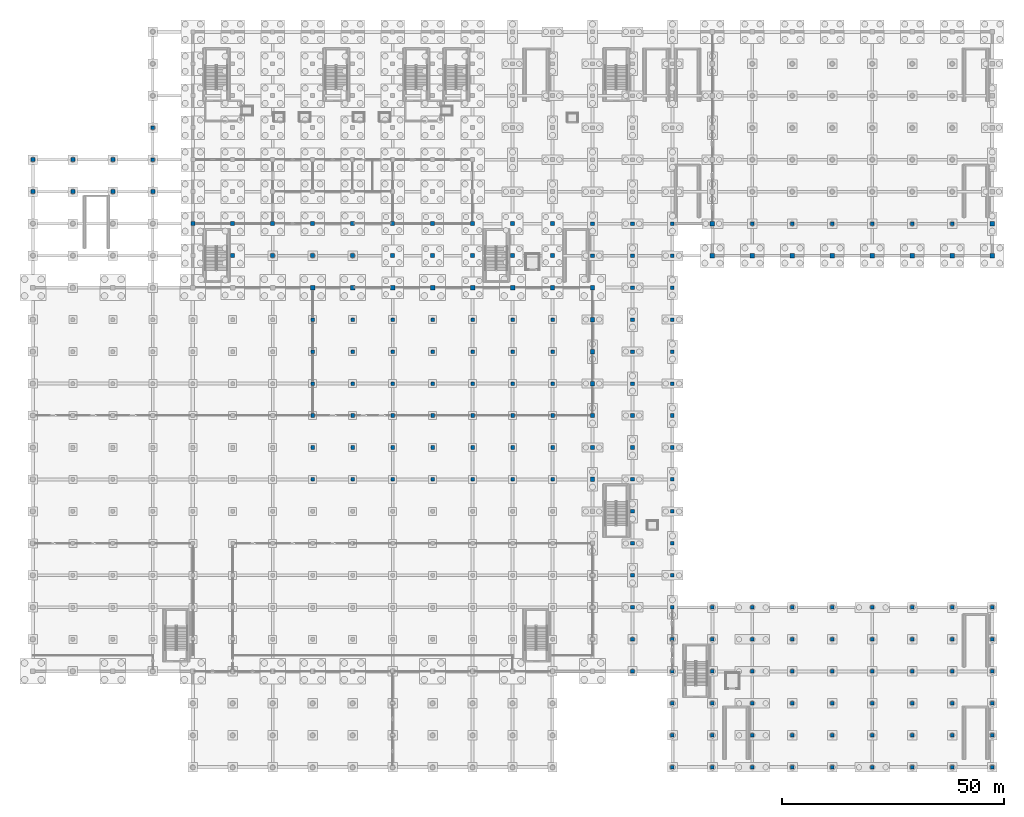
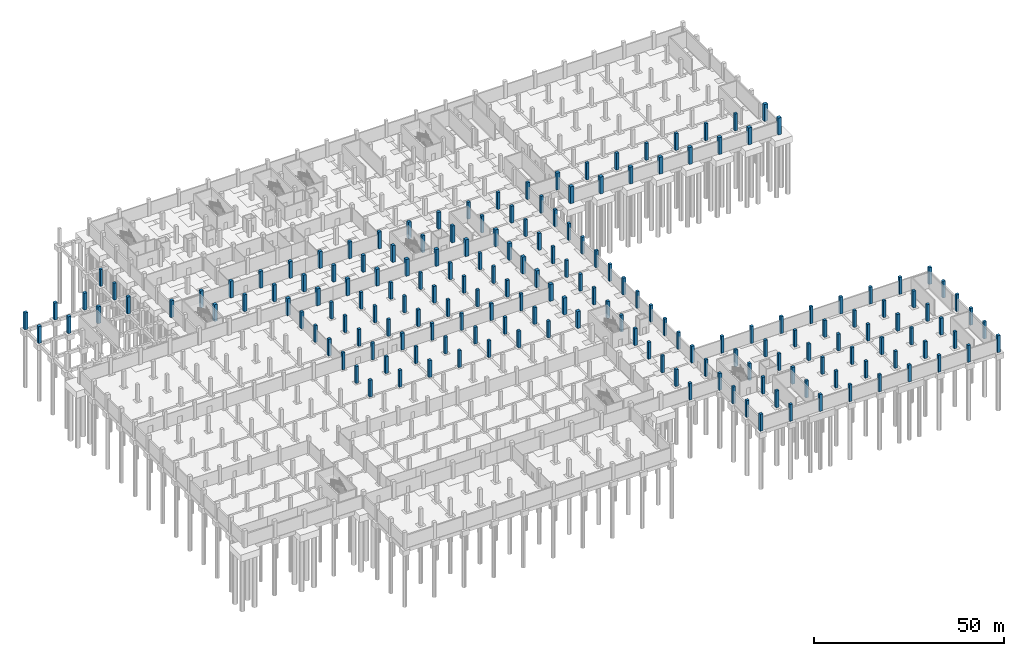
# One storey, part 13 of 39: 183 columns.
"""IFC4 building model written with IfcOpenShell, lengths in metres."""

from ifc_helpers import new_model, si_unit, direction, frame, origin, origin_2d, place, context, subcontext, project, spatial, rectangle, extrude, material, material_profile, profile_set, type_object, element, save


model = new_model("IFC4")

# Units and contexts
model_context = context("Model", 3, precision=1e-05, world=origin(), true_north=direction((0.0, 1.0)))
body_context = subcontext(model_context, "Body", "Model", "MODEL_VIEW")
ifc_project = project(units=[si_unit("LENGTHUNIT", "METRE"), si_unit("AREAUNIT", "SQUARE_METRE"), si_unit("VOLUMEUNIT", "CUBIC_METRE"), si_unit("PLANEANGLEUNIT", "RADIAN"), si_unit("MASSUNIT", "GRAM", prefix="KILO")], contexts=[model_context])

# Site, building, storey
site_placement = place(None, origin())
site = spatial("IfcSite", under=ifc_project, at=site_placement, CompositionType="ELEMENT")
building_placement = place(site_placement, origin())
building = spatial("IfcBuilding", under=site, at=building_placement, Name="Celestram Park Convention Centre", CompositionType="ELEMENT")
storey_placement = place(building_placement, frame((0.0, 0.0, -5.39990234375)))
storey = spatial("IfcBuildingStorey", under=building, at=storey_placement, Name="B1", CompositionType="ELEMENT", Elevation=-5.39990234375)

# Columns
ifc_material = material(Name="Concrete C40/50", Category="concrete")
ifc_material_profile_1 = material_profile(ifc_material, rectangle(XDim=1.0, YDim=1.0, at=origin_2d()), Name="RC1000X1000")
ifc_profile_set_1 = profile_set([ifc_material_profile_1], Name="Concrete C40/50")
column_type_1 = type_object("IfcColumnType", Name="STR-COL-RC1000", PredefinedType="COLUMN", material=ifc_profile_set_1)
for number, where, z_axis, x_axis, name in (
    (1, (63.0, 108.0, 0.0), (0.0, 0.0, 1.0), (1.0, 0.0, 0.0), "Column CN-B1-160"),
    (2, (72.0, 108.0, 0.0), (0.0, 0.0, 1.0), (1.0, 0.0, 0.0), "Column CN-B1-184"),
    (3, (81.0, 108.0, 0.0), (0.0, 0.0, 1.0), (1.0, 0.0, 0.0), "Column CN-B1-208"),
    (4, (90.0, 108.0, 0.0), (0.0, 0.0, 1.0), (1.0, 0.0, 0.0), "Column CN-B1-232"),
    (5, (99.0, 108.0, 0.0), (0.0, 0.0, 1.0), (1.0, 0.0, 0.0), "Column CN-B1-256"),
    (6, (108.0, 108.0, 0.0), (0.0, 0.0, 1.0), (1.0, 0.0, 0.0), "Column CN-B1-280"),
    (7, (117.0, 108.0, 0.0), (0.0, 0.0, 1.0), (1.0, 0.0, 0.0), "Column CN-B1-304"),
    (8, (126.0, 64.800048828125, 0.0), (0.0, 0.0, 1.0), (1.0, 0.0, 0.0), "Column CN-B1-319"),
    (9, (126.0, 72.0, 0.0), (0.0, 0.0, 1.0), (1.0, 0.0, 0.0), "Column CN-B1-320"),
    (10, (126.0, 79.199951171875, 0.0), (0.0, 0.0, 1.0), (1.0, 0.0, 0.0), "Column CN-B1-321"),
    (11, (126.0, 86.39990234375, 0.0), (0.0, 0.0, 1.0), (1.0, 0.0, 0.0), "Column CN-B1-322"),
    (12, (126.0, 93.60009765625, 0.0), (0.0, 0.0, 1.0), (1.0, 0.0, 0.0), "Column CN-B1-323"),
    (13, (126.0, 100.800048828125, 0.0), (0.0, 0.0, 1.0), (1.0, 0.0, 0.0), "Column CN-B1-324"),
    (14, (126.0, 108.0, 0.0), (0.0, 0.0, 1.0), (1.0, 0.0, 0.0), "Column CN-B1-325"),
    (15, (153.0, 115.199951171875, 0.0), (0.0, 0.0, 1.0), (1.0, 0.0, 0.0), "Column CN-B1-385"),
    (16, (153.0, 122.39990234375, 0.0), (0.0, 0.0, 1.0), (1.0, 0.0, 0.0), "Column CN-B1-386"),
    (17, (162.0, 115.199951171875, 0.0), (0.0, 0.0, 1.0), (1.0, 0.0, 0.0), "Column CN-B1-399"),
    (18, (171.0, 115.199951171875, 0.0), (0.0, 0.0, 1.0), (1.0, 0.0, 0.0), "Column CN-B1-413"),
    (19, (180.0, 115.199951171875, 0.0), (0.0, 0.0, 1.0), (1.0, 0.0, 0.0), "Column CN-B1-427"),
    (20, (189.0, 115.199951171875, 0.0), (0.0, 0.0, 1.0), (1.0, 0.0, 0.0), "Column CN-B1-441"),
    (21, (198.0, 115.199951171875, 0.0), (0.0, 0.0, 1.0), (1.0, 0.0, 0.0), "Column CN-B1-455"),
    (22, (207.0, 115.199951171875, 0.0), (0.0, 0.0, 1.0), (1.0, 0.0, 0.0), "Column CN-B1-469"),
    (23, (216.0, 115.199951171875, 0.0), (0.0, 0.0, 1.0), (1.0, 0.0, 0.0), "Column CN-B1-483"),
    (24, (216.0, 122.39990234375, 0.0), (0.0, 0.0, 1.0), (1.0, 0.0, 0.0), "Column CN-B1-484"),
):
    element("IfcColumn", number, at=place(storey_placement, frame(where, z_axis=z_axis, x_axis=x_axis)), inside=storey, type_object=column_type_1, Name=name, PredefinedType="COLUMN", context=body_context, shape_type="SweptSolid", body=[
        extrude(rectangle(XDim=1.0, YDim=1.0, at=origin_2d()), origin(), (0.0, 0.0, 1.0), 5.39990234375),
    ])
ifc_material_profile_2 = material_profile(ifc_material, rectangle(XDim=0.75, YDim=0.75, at=origin_2d()), Name="RC750X750")
ifc_profile_set_2 = profile_set([ifc_material_profile_2], Name="Concrete C40/50")
column_type_2 = type_object("IfcColumnType", Name="STR-COL-RC750", PredefinedType="COLUMN", material=ifc_profile_set_2)
for number, where, z_axis, x_axis, name in (
    (25, (27.0, 136.800048828125, 0.0), (0.0, 0.0, 1.0), (1.0, 0.0, 0.0), "Column CN-B1-068"),
    (26, (27.0, 144.0, 0.0), (0.0, 0.0, 1.0), (1.0, 0.0, 0.0), "Column CN-B1-069"),
):
    element("IfcColumn", number, at=place(storey_placement, frame(where, z_axis=z_axis, x_axis=x_axis)), inside=storey, type_object=column_type_2, Name=name, PredefinedType="COLUMN", context=body_context, shape_type="SweptSolid", body=[
        extrude(rectangle(XDim=0.75, YDim=0.75, at=origin_2d()), origin(), (0.0, 0.0, 1.0), 5.39990234375),
    ])
ifc_material_profile_3 = material_profile(ifc_material, rectangle(XDim=0.800048828125, YDim=0.800048828125, at=origin_2d()), Name="RC800X800")
ifc_profile_set_3 = profile_set([ifc_material_profile_3], Name="Concrete C40/50")
column_type_3 = type_object("IfcColumnType", Name="STR-COL-RC800", PredefinedType="COLUMN", material=ifc_profile_set_3)
for number, where, z_axis, x_axis, name in (
    (27, (63.0, 64.800048828125, 0.0), (0.0, 0.0, 1.0), (1.0, 0.0, 0.0), "Column CN-B1-154"),
    (28, (63.0, 72.0, 0.0), (0.0, 0.0, 1.0), (1.0, 0.0, 0.0), "Column CN-B1-155"),
    (29, (63.0, 79.199951171875, 0.0), (0.0, 0.0, 1.0), (1.0, 0.0, 0.0), "Column CN-B1-156"),
    (30, (63.0, 86.39990234375, 0.0), (0.0, 0.0, 1.0), (1.0, 0.0, 0.0), "Column CN-B1-157"),
    (31, (63.0, 93.60009765625, 0.0), (0.0, 0.0, 1.0), (1.0, 0.0, 0.0), "Column CN-B1-158"),
    (32, (63.0, 100.800048828125, 0.0), (0.0, 0.0, 1.0), (1.0, 0.0, 0.0), "Column CN-B1-159"),
    (33, (72.0, 64.800048828125, 0.0), (0.0, 0.0, 1.0), (1.0, 0.0, 0.0), "Column CN-B1-178"),
    (34, (72.0, 72.0, 0.0), (0.0, 0.0, 1.0), (1.0, 0.0, 0.0), "Column CN-B1-179"),
    (35, (72.0, 79.199951171875, 0.0), (0.0, 0.0, 1.0), (1.0, 0.0, 0.0), "Column CN-B1-180"),
    (36, (72.0, 86.39990234375, 0.0), (0.0, 0.0, 1.0), (1.0, 0.0, 0.0), "Column CN-B1-181"),
    (37, (72.0, 93.60009765625, 0.0), (0.0, 0.0, 1.0), (1.0, 0.0, 0.0), "Column CN-B1-182"),
    (38, (72.0, 100.800048828125, 0.0), (0.0, 0.0, 1.0), (1.0, 0.0, 0.0), "Column CN-B1-183"),
    (39, (81.0, 64.800048828125, 0.0), (0.0, 0.0, 1.0), (1.0, 0.0, 0.0), "Column CN-B1-202"),
    (40, (81.0, 72.0, 0.0), (0.0, 0.0, 1.0), (1.0, 0.0, 0.0), "Column CN-B1-203"),
    (41, (81.0, 79.199951171875, 0.0), (0.0, 0.0, 1.0), (1.0, 0.0, 0.0), "Column CN-B1-204"),
    (42, (81.0, 86.39990234375, 0.0), (0.0, 0.0, 1.0), (1.0, 0.0, 0.0), "Column CN-B1-205"),
    (43, (81.0, 93.60009765625, 0.0), (0.0, 0.0, 1.0), (1.0, 0.0, 0.0), "Column CN-B1-206"),
    (44, (81.0, 100.800048828125, 0.0), (0.0, 0.0, 1.0), (1.0, 0.0, 0.0), "Column CN-B1-207"),
    (45, (90.0, 64.800048828125, 0.0), (0.0, 0.0, 1.0), (1.0, 0.0, 0.0), "Column CN-B1-226"),
    (46, (90.0, 72.0, 0.0), (0.0, 0.0, 1.0), (1.0, 0.0, 0.0), "Column CN-B1-227"),
    (47, (90.0, 79.199951171875, 0.0), (0.0, 0.0, 1.0), (1.0, 0.0, 0.0), "Column CN-B1-228"),
    (48, (90.0, 86.39990234375, 0.0), (0.0, 0.0, 1.0), (1.0, 0.0, 0.0), "Column CN-B1-229"),
    (49, (90.0, 93.60009765625, 0.0), (0.0, 0.0, 1.0), (1.0, 0.0, 0.0), "Column CN-B1-230"),
    (50, (90.0, 100.800048828125, 0.0), (0.0, 0.0, 1.0), (1.0, 0.0, 0.0), "Column CN-B1-231"),
    (51, (99.0, 64.800048828125, 0.0), (0.0, 0.0, 1.0), (1.0, 0.0, 0.0), "Column CN-B1-250"),
    (52, (99.0, 72.0, 0.0), (0.0, 0.0, 1.0), (1.0, 0.0, 0.0), "Column CN-B1-251"),
    (53, (99.0, 79.199951171875, 0.0), (0.0, 0.0, 1.0), (1.0, 0.0, 0.0), "Column CN-B1-252"),
    (54, (99.0, 86.39990234375, 0.0), (0.0, 0.0, 1.0), (1.0, 0.0, 0.0), "Column CN-B1-253"),
    (55, (99.0, 93.60009765625, 0.0), (0.0, 0.0, 1.0), (1.0, 0.0, 0.0), "Column CN-B1-254"),
    (56, (99.0, 100.800048828125, 0.0), (0.0, 0.0, 1.0), (1.0, 0.0, 0.0), "Column CN-B1-255"),
    (57, (108.0, 64.800048828125, 0.0), (0.0, 0.0, 1.0), (1.0, 0.0, 0.0), "Column CN-B1-274"),
    (58, (108.0, 72.0, 0.0), (0.0, 0.0, 1.0), (1.0, 0.0, 0.0), "Column CN-B1-275"),
    (59, (108.0, 79.199951171875, 0.0), (0.0, 0.0, 1.0), (1.0, 0.0, 0.0), "Column CN-B1-276"),
    (60, (108.0, 86.39990234375, 0.0), (0.0, 0.0, 1.0), (1.0, 0.0, 0.0), "Column CN-B1-277"),
    (61, (108.0, 93.60009765625, 0.0), (0.0, 0.0, 1.0), (1.0, 0.0, 0.0), "Column CN-B1-278"),
    (62, (108.0, 100.800048828125, 0.0), (0.0, 0.0, 1.0), (1.0, 0.0, 0.0), "Column CN-B1-279"),
    (63, (117.0, 64.800048828125, 0.0), (0.0, 0.0, 1.0), (1.0, 0.0, 0.0), "Column CN-B1-298"),
    (64, (117.0, 72.0, 0.0), (0.0, 0.0, 1.0), (1.0, 0.0, 0.0), "Column CN-B1-299"),
    (65, (117.0, 79.199951171875, 0.0), (0.0, 0.0, 1.0), (1.0, 0.0, 0.0), "Column CN-B1-300"),
    (66, (117.0, 86.39990234375, 0.0), (0.0, 0.0, 1.0), (1.0, 0.0, 0.0), "Column CN-B1-301"),
    (67, (117.0, 93.60009765625, 0.0), (0.0, 0.0, 1.0), (1.0, 0.0, 0.0), "Column CN-B1-302"),
    (68, (117.0, 100.800048828125, 0.0), (0.0, 0.0, 1.0), (1.0, 0.0, 0.0), "Column CN-B1-303"),
    (69, (126.0, 115.199951171875, 0.0), (0.0, 0.0, 1.0), (1.0, 0.0, 0.0), "Column CN-B1-326"),
    (70, (126.0, 122.39990234375, 0.0), (0.0, 0.0, 1.0), (1.0, 0.0, 0.0), "Column CN-B1-327"),
    (71, (135.0, 21.60009765625, 0.0), (0.0, 0.0, 1.0), (1.0, 0.0, 0.0), "Column CN-B1-334"),
    (72, (135.0, 28.800048828125, 0.0), (0.0, 0.0, 1.0), (1.0, 0.0, 0.0), "Column CN-B1-335"),
    (73, (135.0, 36.0, 0.0), (0.0, 0.0, 1.0), (1.0, 0.0, 0.0), "Column CN-B1-336"),
    (74, (135.0, 43.199951171875, 0.0), (0.0, 0.0, 1.0), (1.0, 0.0, 0.0), "Column CN-B1-337"),
    (75, (135.0, 50.39990234375, 0.0), (0.0, 0.0, 1.0), (1.0, 0.0, 0.0), "Column CN-B1-338"),
    (76, (135.0, 57.60009765625, 0.0), (0.0, 0.0, 1.0), (1.0, 0.0, 0.0), "Column CN-B1-339"),
    (77, (135.0, 64.800048828125, 0.0), (0.0, 0.0, 1.0), (1.0, 0.0, 0.0), "Column CN-B1-340"),
    (78, (135.0, 72.0, 0.0), (0.0, 0.0, 1.0), (1.0, 0.0, 0.0), "Column CN-B1-341"),
    (79, (135.0, 79.199951171875, 0.0), (0.0, 0.0, 1.0), (1.0, 0.0, 0.0), "Column CN-B1-342"),
    (80, (135.0, 86.39990234375, 0.0), (0.0, 0.0, 1.0), (1.0, 0.0, 0.0), "Column CN-B1-343"),
    (81, (135.0, 93.60009765625, 0.0), (0.0, 0.0, 1.0), (1.0, 0.0, 0.0), "Column CN-B1-344"),
    (82, (135.0, 100.800048828125, 0.0), (0.0, 0.0, 1.0), (1.0, 0.0, 0.0), "Column CN-B1-345"),
    (83, (135.0, 108.0, 0.0), (0.0, 0.0, 1.0), (1.0, 0.0, 0.0), "Column CN-B1-346"),
    (84, (135.0, 115.199951171875, 0.0), (0.0, 0.0, 1.0), (1.0, 0.0, 0.0), "Column CN-B1-347"),
    (85, (135.0, 122.39990234375, 0.0), (0.0, 0.0, 1.0), (1.0, 0.0, 0.0), "Column CN-B1-348"),
    (86, (144.0, 0.0, 0.0), (0.0, 0.0, 1.0), (1.0, 0.0, 0.0), "Column CN-B1-355"),
    (87, (144.0, 7.199951171875, 0.0), (0.0, 0.0, 1.0), (1.0, 0.0, 0.0), "Column CN-B1-356"),
    (88, (144.0, 14.39990234375, 0.0), (0.0, 0.0, 1.0), (1.0, 0.0, 0.0), "Column CN-B1-357"),
    (89, (144.0, 21.60009765625, 0.0), (0.0, 0.0, 1.0), (1.0, 0.0, 0.0), "Column CN-B1-358"),
    (90, (144.0, 28.800048828125, 0.0), (0.0, 0.0, 1.0), (1.0, 0.0, 0.0), "Column CN-B1-359"),
    (91, (144.0, 36.0, 0.0), (0.0, 0.0, 1.0), (1.0, 0.0, 0.0), "Column CN-B1-360"),
    (92, (144.0, 43.199951171875, 0.0), (0.0, 0.0, 1.0), (1.0, 0.0, 0.0), "Column CN-B1-361"),
    (93, (144.0, 50.39990234375, 0.0), (0.0, 0.0, 1.0), (1.0, 0.0, 0.0), "Column CN-B1-362"),
    (94, (144.0, 57.60009765625, 0.0), (0.0, 0.0, 1.0), (1.0, 0.0, 0.0), "Column CN-B1-363"),
    (95, (144.0, 64.800048828125, 0.0), (0.0, 0.0, 1.0), (1.0, 0.0, 0.0), "Column CN-B1-364"),
    (96, (144.0, 72.0, 0.0), (0.0, 0.0, 1.0), (1.0, 0.0, 0.0), "Column CN-B1-365"),
    (97, (144.0, 79.199951171875, 0.0), (0.0, 0.0, 1.0), (1.0, 0.0, 0.0), "Column CN-B1-366"),
    (98, (144.0, 86.39990234375, 0.0), (0.0, 0.0, 1.0), (1.0, 0.0, 0.0), "Column CN-B1-367"),
    (99, (144.0, 93.60009765625, 0.0), (0.0, 0.0, 1.0), (1.0, 0.0, 0.0), "Column CN-B1-368"),
    (100, (144.0, 100.800048828125, 0.0), (0.0, 0.0, 1.0), (1.0, 0.0, 0.0), "Column CN-B1-369"),
    (101, (144.0, 108.0, 0.0), (0.0, 0.0, 1.0), (1.0, 0.0, 0.0), "Column CN-B1-370"),
    (102, (144.0, 115.199951171875, 0.0), (0.0, 0.0, 1.0), (1.0, 0.0, 0.0), "Column CN-B1-371"),
    (103, (144.0, 122.39990234375, 0.0), (0.0, 0.0, 1.0), (1.0, 0.0, 0.0), "Column CN-B1-372"),
    (104, (153.0, 0.0, 0.0), (0.0, 0.0, 1.0), (1.0, 0.0, 0.0), "Column CN-B1-379"),
    (105, (153.0, 7.199951171875, 0.0), (0.0, 0.0, 1.0), (1.0, 0.0, 0.0), "Column CN-B1-380"),
    (106, (153.0, 14.39990234375, 0.0), (0.0, 0.0, 1.0), (1.0, 0.0, 0.0), "Column CN-B1-381"),
    (107, (153.0, 21.60009765625, 0.0), (0.0, 0.0, 1.0), (1.0, 0.0, 0.0), "Column CN-B1-382"),
    (108, (153.0, 28.800048828125, 0.0), (0.0, 0.0, 1.0), (1.0, 0.0, 0.0), "Column CN-B1-383"),
    (109, (153.0, 36.0, 0.0), (0.0, 0.0, 1.0), (1.0, 0.0, 0.0), "Column CN-B1-384"),
    (110, (162.0, 0.0, 0.0), (0.0, 0.0, 1.0), (1.0, 0.0, 0.0), "Column CN-B1-393"),
    (111, (162.0, 7.199951171875, 0.0), (0.0, 0.0, 1.0), (1.0, 0.0, 0.0), "Column CN-B1-394"),
    (112, (162.0, 14.39990234375, 0.0), (0.0, 0.0, 1.0), (1.0, 0.0, 0.0), "Column CN-B1-395"),
    (113, (162.0, 21.60009765625, 0.0), (0.0, 0.0, 1.0), (1.0, 0.0, 0.0), "Column CN-B1-396"),
    (114, (162.0, 28.800048828125, 0.0), (0.0, 0.0, 1.0), (1.0, 0.0, 0.0), "Column CN-B1-397"),
    (115, (162.0, 36.0, 0.0), (0.0, 0.0, 1.0), (1.0, 0.0, 0.0), "Column CN-B1-398"),
    (116, (162.0, 122.39990234375, 0.0), (0.0, 0.0, 1.0), (1.0, 0.0, 0.0), "Column CN-B1-400"),
    (117, (171.0, 0.0, 0.0), (0.0, 0.0, 1.0), (1.0, 0.0, 0.0), "Column CN-B1-407"),
    (118, (171.0, 7.199951171875, 0.0), (0.0, 0.0, 1.0), (1.0, 0.0, 0.0), "Column CN-B1-408"),
    (119, (171.0, 14.39990234375, 0.0), (0.0, 0.0, 1.0), (1.0, 0.0, 0.0), "Column CN-B1-409"),
    (120, (171.0, 21.60009765625, 0.0), (0.0, 0.0, 1.0), (1.0, 0.0, 0.0), "Column CN-B1-410"),
    (121, (171.0, 28.800048828125, 0.0), (0.0, 0.0, 1.0), (1.0, 0.0, 0.0), "Column CN-B1-411"),
    (122, (171.0, 36.0, 0.0), (0.0, 0.0, 1.0), (1.0, 0.0, 0.0), "Column CN-B1-412"),
    (123, (171.0, 122.39990234375, 0.0), (0.0, 0.0, 1.0), (1.0, 0.0, 0.0), "Column CN-B1-414"),
    (124, (180.0, 0.0, 0.0), (0.0, 0.0, 1.0), (1.0, 0.0, 0.0), "Column CN-B1-421"),
    (125, (180.0, 7.199951171875, 0.0), (0.0, 0.0, 1.0), (1.0, 0.0, 0.0), "Column CN-B1-422"),
    (126, (180.0, 14.39990234375, 0.0), (0.0, 0.0, 1.0), (1.0, 0.0, 0.0), "Column CN-B1-423"),
    (127, (180.0, 21.60009765625, 0.0), (0.0, 0.0, 1.0), (1.0, 0.0, 0.0), "Column CN-B1-424"),
    (128, (180.0, 28.800048828125, 0.0), (0.0, 0.0, 1.0), (1.0, 0.0, 0.0), "Column CN-B1-425"),
    (129, (180.0, 36.0, 0.0), (0.0, 0.0, 1.0), (1.0, 0.0, 0.0), "Column CN-B1-426"),
    (130, (180.0, 122.39990234375, 0.0), (0.0, 0.0, 1.0), (1.0, 0.0, 0.0), "Column CN-B1-428"),
    (131, (189.0, 0.0, 0.0), (0.0, 0.0, 1.0), (1.0, 0.0, 0.0), "Column CN-B1-435"),
    (132, (189.0, 7.199951171875, 0.0), (0.0, 0.0, 1.0), (1.0, 0.0, 0.0), "Column CN-B1-436"),
    (133, (189.0, 14.39990234375, 0.0), (0.0, 0.0, 1.0), (1.0, 0.0, 0.0), "Column CN-B1-437"),
    (134, (189.0, 21.60009765625, 0.0), (0.0, 0.0, 1.0), (1.0, 0.0, 0.0), "Column CN-B1-438"),
    (135, (189.0, 28.800048828125, 0.0), (0.0, 0.0, 1.0), (1.0, 0.0, 0.0), "Column CN-B1-439"),
    (136, (189.0, 36.0, 0.0), (0.0, 0.0, 1.0), (1.0, 0.0, 0.0), "Column CN-B1-440"),
    (137, (189.0, 122.39990234375, 0.0), (0.0, 0.0, 1.0), (1.0, 0.0, 0.0), "Column CN-B1-442"),
    (138, (198.0, 0.0, 0.0), (0.0, 0.0, 1.0), (1.0, 0.0, 0.0), "Column CN-B1-449"),
    (139, (198.0, 7.199951171875, 0.0), (0.0, 0.0, 1.0), (1.0, 0.0, 0.0), "Column CN-B1-450"),
    (140, (198.0, 14.39990234375, 0.0), (0.0, 0.0, 1.0), (1.0, 0.0, 0.0), "Column CN-B1-451"),
    (141, (198.0, 21.60009765625, 0.0), (0.0, 0.0, 1.0), (1.0, 0.0, 0.0), "Column CN-B1-452"),
    (142, (198.0, 28.800048828125, 0.0), (0.0, 0.0, 1.0), (1.0, 0.0, 0.0), "Column CN-B1-453"),
    (143, (198.0, 36.0, 0.0), (0.0, 0.0, 1.0), (1.0, 0.0, 0.0), "Column CN-B1-454"),
    (144, (198.0, 122.39990234375, 0.0), (0.0, 0.0, 1.0), (1.0, 0.0, 0.0), "Column CN-B1-456"),
    (145, (207.0, 0.0, 0.0), (0.0, 0.0, 1.0), (1.0, 0.0, 0.0), "Column CN-B1-463"),
    (146, (207.0, 7.199951171875, 0.0), (0.0, 0.0, 1.0), (1.0, 0.0, 0.0), "Column CN-B1-464"),
    (147, (207.0, 14.39990234375, 0.0), (0.0, 0.0, 1.0), (1.0, 0.0, 0.0), "Column CN-B1-465"),
    (148, (207.0, 21.60009765625, 0.0), (0.0, 0.0, 1.0), (1.0, 0.0, 0.0), "Column CN-B1-466"),
    (149, (207.0, 28.800048828125, 0.0), (0.0, 0.0, 1.0), (1.0, 0.0, 0.0), "Column CN-B1-467"),
    (150, (207.0, 36.0, 0.0), (0.0, 0.0, 1.0), (1.0, 0.0, 0.0), "Column CN-B1-468"),
    (151, (207.0, 122.39990234375, 0.0), (0.0, 0.0, 1.0), (1.0, 0.0, 0.0), "Column CN-B1-470"),
    (152, (216.0, 0.0, 0.0), (0.0, 0.0, 1.0), (1.0, 0.0, 0.0), "Column CN-B1-477"),
    (153, (216.0, 7.199951171875, 0.0), (0.0, 0.0, 1.0), (1.0, 0.0, 0.0), "Column CN-B1-478"),
    (154, (216.0, 14.39990234375, 0.0), (0.0, 0.0, 1.0), (1.0, 0.0, 0.0), "Column CN-B1-479"),
    (155, (216.0, 21.60009765625, 0.0), (0.0, 0.0, 1.0), (1.0, 0.0, 0.0), "Column CN-B1-480"),
    (156, (216.0, 28.800048828125, 0.0), (0.0, 0.0, 1.0), (1.0, 0.0, 0.0), "Column CN-B1-481"),
    (157, (216.0, 36.0, 0.0), (0.0, 0.0, 1.0), (1.0, 0.0, 0.0), "Column CN-B1-482"),
):
    element("IfcColumn", number, at=place(storey_placement, frame(where, z_axis=z_axis, x_axis=x_axis)), inside=storey, type_object=column_type_3, Name=name, PredefinedType="COLUMN", context=body_context, shape_type="SweptSolid", body=[
        extrude(rectangle(XDim=0.800048828125, YDim=0.800048828125, at=origin_2d()), origin(), (0.0, 0.0, 1.0), 5.39990234375),
    ])
ifc_material_profile_4 = material_profile(ifc_material, rectangle(XDim=0.89990234375, YDim=0.89990234375, at=origin_2d()), Name="RC900X900")
ifc_profile_set_4 = profile_set([ifc_material_profile_4], Name="Concrete C40/50")
column_type_4 = type_object("IfcColumnType", Name="STR-COL-RC900", PredefinedType="COLUMN", material=ifc_profile_set_4)
for number, where, z_axis, x_axis, name in (
    (158, (0.0, 129.60009765625, 0.0), (0.0, 0.0, 1.0), (1.0, 0.0, 0.0), "Column CN-B1-016"),
    (159, (0.0, 136.800048828125, 0.0), (0.0, 0.0, 1.0), (1.0, 0.0, 0.0), "Column CN-B1-017"),
    (160, (9.0, 129.60009765625, 0.0), (0.0, 0.0, 1.0), (1.0, 0.0, 0.0), "Column CN-B1-033"),
    (161, (9.0, 136.800048828125, 0.0), (0.0, 0.0, 1.0), (1.0, 0.0, 0.0), "Column CN-B1-034"),
    (162, (18.0, 129.60009765625, 0.0), (0.0, 0.0, 1.0), (1.0, 0.0, 0.0), "Column CN-B1-050"),
    (163, (18.0, 136.800048828125, 0.0), (0.0, 0.0, 1.0), (1.0, 0.0, 0.0), "Column CN-B1-051"),
    (164, (27.0, 129.60009765625, 0.0), (0.0, 0.0, 1.0), (1.0, 0.0, 0.0), "Column CN-B1-067"),
    (165, (36.0, 122.39990234375, 0.0), (0.0, 0.0, 1.0), (1.0, 0.0, 0.0), "Column CN-B1-090"),
    (166, (45.0, 115.199951171875, 0.0), (0.0, 0.0, 1.0), (1.0, 0.0, 0.0), "Column CN-B1-113"),
    (167, (45.0, 122.39990234375, 0.0), (0.0, 0.0, 1.0), (1.0, 0.0, 0.0), "Column CN-B1-114"),
    (168, (54.0, 115.199951171875, 0.0), (0.0, 0.0, 1.0), (1.0, 0.0, 0.0), "Column CN-B1-137"),
    (169, (54.0, 122.39990234375, 0.0), (0.0, 0.0, 1.0), (1.0, 0.0, 0.0), "Column CN-B1-138"),
    (170, (63.0, 115.199951171875, 0.0), (0.0, 0.0, 1.0), (1.0, 0.0, 0.0), "Column CN-B1-161"),
    (171, (63.0, 122.39990234375, 0.0), (0.0, 0.0, 1.0), (1.0, 0.0, 0.0), "Column CN-B1-162"),
    (172, (72.0, 115.199951171875, 0.0), (0.0, 0.0, 1.0), (1.0, 0.0, 0.0), "Column CN-B1-185"),
    (173, (72.0, 122.39990234375, 0.0), (0.0, 0.0, 1.0), (1.0, 0.0, 0.0), "Column CN-B1-186"),
    (174, (81.0, 115.199951171875, 0.0), (0.0, 0.0, 1.0), (1.0, 0.0, 0.0), "Column CN-B1-209"),
    (175, (81.0, 122.39990234375, 0.0), (0.0, 0.0, 1.0), (1.0, 0.0, 0.0), "Column CN-B1-210"),
    (176, (90.0, 115.199951171875, 0.0), (0.0, 0.0, 1.0), (1.0, 0.0, 0.0), "Column CN-B1-233"),
    (177, (90.0, 122.39990234375, 0.0), (0.0, 0.0, 1.0), (1.0, 0.0, 0.0), "Column CN-B1-234"),
    (178, (99.0, 115.199951171875, 0.0), (0.0, 0.0, 1.0), (1.0, 0.0, 0.0), "Column CN-B1-257"),
    (179, (99.0, 122.39990234375, 0.0), (0.0, 0.0, 1.0), (1.0, 0.0, 0.0), "Column CN-B1-258"),
    (180, (108.0, 115.199951171875, 0.0), (0.0, 0.0, 1.0), (1.0, 0.0, 0.0), "Column CN-B1-281"),
    (181, (108.0, 122.39990234375, 0.0), (0.0, 0.0, 1.0), (1.0, 0.0, 0.0), "Column CN-B1-282"),
    (182, (117.0, 115.199951171875, 0.0), (0.0, 0.0, 1.0), (1.0, 0.0, 0.0), "Column CN-B1-305"),
    (183, (117.0, 122.39990234375, 0.0), (0.0, 0.0, 1.0), (1.0, 0.0, 0.0), "Column CN-B1-306"),
):
    element("IfcColumn", number, at=place(storey_placement, frame(where, z_axis=z_axis, x_axis=x_axis)), inside=storey, type_object=column_type_4, Name=name, PredefinedType="COLUMN", context=body_context, shape_type="SweptSolid", body=[
        extrude(rectangle(XDim=0.89990234375, YDim=0.89990234375, at=origin_2d()), origin(), (0.0, 0.0, 1.0), 5.39990234375),
    ])

save(model, "model.ifc")
